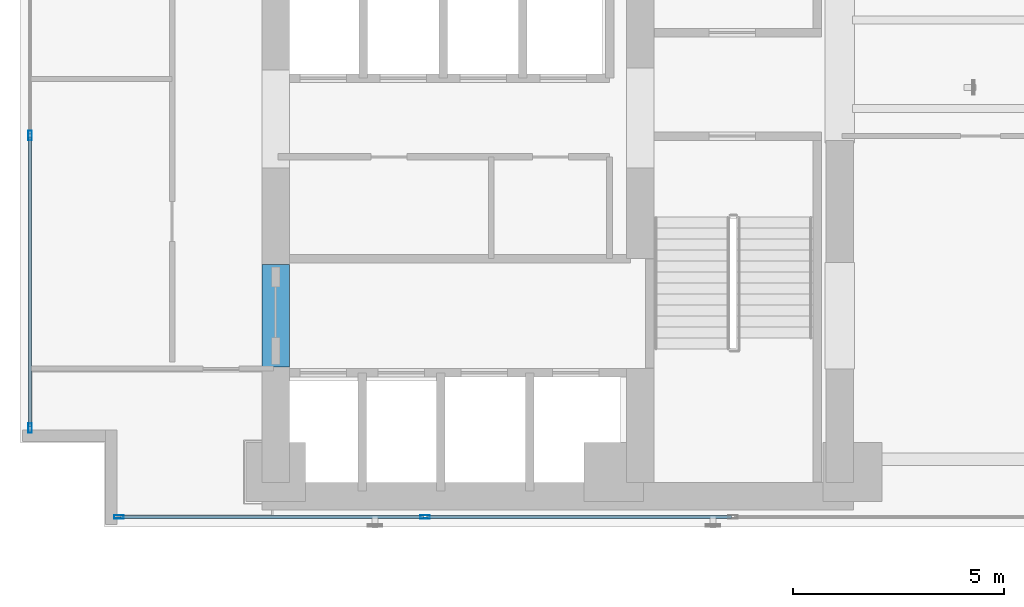
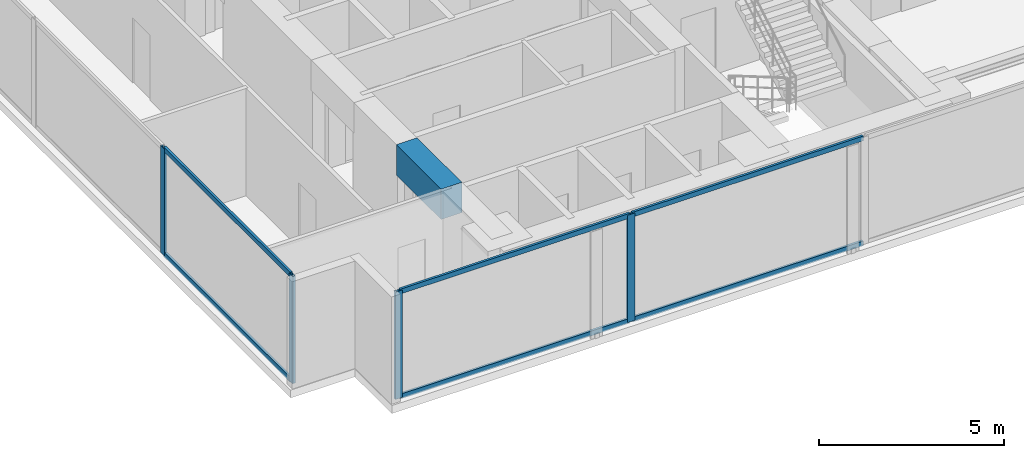
# One storey, part 2 of 29: 10 members, 1 beam, 2 elements without a shape of their own.
"""IFC4 building model written with IfcOpenShell, lengths in metres."""

from ifc_helpers import new_model, si_unit, direction, frame, origin, origin_with_axes, origin_2d, place, context, subcontext, project, spatial, rectangle, hollow_rectangle, extrude, source, transform, mapped, material, layer, layer_set, material_profile, profile_set, type_object, element, aggregate, save


model = new_model("IFC4")

# Units and contexts
model_context = context("Model", 3, precision=1e-05, world=origin(), true_north=direction((0.0, 1.0)))
body_context = subcontext(model_context, "Body", "Model", "MODEL_VIEW")
ifc_project = project(units=[si_unit("LENGTHUNIT", "METRE"), si_unit("AREAUNIT", "SQUARE_METRE"), si_unit("VOLUMEUNIT", "CUBIC_METRE"), si_unit("PLANEANGLEUNIT", "RADIAN"), si_unit("MASSUNIT", "GRAM", prefix="KILO")], contexts=[model_context])

# Site, building, storey
site_placement = place(None, origin())
site = spatial("IfcSite", under=ifc_project, at=site_placement, CompositionType="ELEMENT")
building_placement = place(site_placement, origin())
building = spatial("IfcBuilding", under=site, at=building_placement, Name="Kolvaren Waterfront Exchange", CompositionType="ELEMENT")
storey_placement = place(building_placement, frame((0.0, 0.0, 129.699951171875)))
storey = spatial("IfcBuildingStorey", under=building, at=storey_placement, Name="L33", CompositionType="ELEMENT", Elevation=129.699951171875)

# Beam
ifc_material_1 = material(Name="Concrete C60/75", Category="concrete")
ifc_material_profile_1 = material_profile(ifc_material_1, rectangle(XDim=0.64990234375, YDim=1.0, at=origin_2d()), Name="RC-CB-1000x650")
ifc_profile_set_1 = profile_set([ifc_material_profile_1], Name="Concrete C60/75")
beam_type = type_object("IfcBeamType", Name="STR-CB-1000", PredefinedType="SPANDREL", material=ifc_profile_set_1)
beam_placement = place(storey_placement, frame((7.449951171875, 7.389892578125, 3.0400390625), z_axis=(0.0, 1.0, 0.0), x_axis=(-1.0, 0.0, 0.0)))
element("IfcBeam", 1, at=beam_placement, inside=storey, type_object=beam_type, Name="L33 core coupling beam 3", PredefinedType="SPANDREL", context=body_context, shape_type="SweptSolid", body=[
    extrude(rectangle(XDim=0.64990234375, YDim=1.0, at=origin_2d()), origin(), (0.0, 0.0, 1.0), 2.420166015625),
])

# Curtain wall, members
ifc_material_2 = material(Name="Anodised bronze aluminium 6063-T6", Category="aluminium")
ifc_layer_1 = layer(ifc_material_2, 0.219970703125, Name="Anodised bronze aluminium 6063-T6")
ifc_layer_set_1 = layer_set([ifc_layer_1], Name="Anodised bronze aluminium 6063-T6")
curtain_wall_type_1 = type_object("IfcCurtainWallType", Name="ARC-CW-SYS1", PredefinedType="USERDEFINED", material=ifc_layer_set_1)
curtain_wall_1_placement = place(storey_placement, origin())
curtain_wall_1 = element("IfcCurtainWall", 2, at=curtain_wall_1_placement, inside=storey, type_object=curtain_wall_type_1, Name="L33 stick curtain wall CW1 (CW-L33-S)", ObjectType="STICK CURTAIN WALL", PredefinedType="USERDEFINED")
ifc_material_3 = material(Name="Anodised aluminium 6063-T6", Category="aluminium")
ifc_material_profile_2 = material_profile(ifc_material_3, hollow_rectangle(XDim=0.080078125, YDim=0.219970703125, WallThickness=0.0048828125, at=origin_2d()), Name="ALU-MUL-220x80x5")
ifc_profile_set_2 = profile_set([ifc_material_profile_2], Name="Anodised aluminium 6063-T6")
member_type_1 = type_object("IfcMemberType", Name="ARC-CWM-220", PredefinedType="MULLION", material=ifc_profile_set_2)
shared_shape_1 = source(origin_with_axes(), body_context, "Body", "SweptSolid", [
    extrude(hollow_rectangle(XDim=0.080078125, YDim=0.219970703125, WallThickness=0.0048828125, at=origin_2d()), origin(), (0.0, 0.0, 1.0), 3.5400390625),
])
member_1_placement = place(storey_placement, frame((3.739990234375, 3.840087890625, 0.0), z_axis=(0.0, 0.0, 1.0), x_axis=(0.0, 1.0, 0.0)))
member_1 = element("IfcMember", 3, at=member_1_placement, type_object=member_type_1, Name="CW1 mullion 1", PredefinedType="MULLION", context=body_context, shape_type="MappedRepresentation", body=[
    mapped(shared_shape_1, transform((0.0, 0.0, 0.0), x_axis=(1.0, 0.0, 0.0), y_axis=(0.0, 1.0, 0.0), z_axis=(0.0, 0.0, 1.0), scale=1.0)),
])
member_2_placement = place(storey_placement, frame((10.985595703125, 3.840087890625, 0.0), z_axis=(0.0, 0.0, 1.0), x_axis=(0.0, 1.0, 0.0)))
member_2 = element("IfcMember", 4, at=member_2_placement, type_object=member_type_1, Name="CW1 mullion 2", PredefinedType="MULLION", context=body_context, shape_type="MappedRepresentation", body=[
    mapped(shared_shape_1, transform((0.0, 0.0, 0.0), x_axis=(1.0, 0.0, 0.0), y_axis=(0.0, 1.0, 0.0), z_axis=(0.0, 0.0, 1.0), scale=1.0)),
])

ifc_layer_2 = layer(ifc_material_3, 0.219970703125, Name="Anodised aluminium 6063-T6")
ifc_layer_set_2 = layer_set([ifc_layer_2], Name="Anodised aluminium 6063-T6")
curtain_wall_type_2 = type_object("IfcCurtainWallType", Name="ARC-CW-SYS2", PredefinedType="USERDEFINED", material=ifc_layer_set_2)
curtain_wall_2_placement = place(storey_placement, origin())
curtain_wall_2 = element("IfcCurtainWall", 5, at=curtain_wall_2_placement, inside=storey, type_object=curtain_wall_type_2, Name="L33 stick curtain wall CW2 (CW-L33-W)", ObjectType="STICK CURTAIN WALL", PredefinedType="USERDEFINED")
member_3_placement = place(storey_placement, frame((1.639892578125, 5.93994140625, 0.0), z_axis=(0.0, 0.0, 1.0), x_axis=(-1.0, 0.0, 0.0)))
member_3 = element("IfcMember", 6, at=member_3_placement, type_object=member_type_1, Name="CW2 mullion 1", PredefinedType="MULLION", context=body_context, shape_type="MappedRepresentation", body=[
    mapped(shared_shape_1, transform((0.0, 0.0, 0.0), x_axis=(1.0, 0.0, 0.0), y_axis=(0.0, 1.0, 0.0), z_axis=(0.0, 0.0, 1.0), scale=1.0)),
])
member_4_placement = place(storey_placement, frame((1.639892578125, 12.86669921875, 0.0), z_axis=(0.0, 0.0, 1.0), x_axis=(-1.0, 0.0, 0.0)))
member_4 = element("IfcMember", 7, at=member_4_placement, type_object=member_type_1, Name="CW2 mullion 2", PredefinedType="MULLION", context=body_context, shape_type="MappedRepresentation", body=[
    mapped(shared_shape_1, transform((0.0, 0.0, 0.0), x_axis=(1.0, 0.0, 0.0), y_axis=(0.0, 1.0, 0.0), z_axis=(0.0, 0.0, 1.0), scale=1.0)),
])
ifc_material_profile_3 = material_profile(ifc_material_3, hollow_rectangle(XDim=0.074951171875, YDim=0.159912109375, WallThickness=0.00439453125, at=origin_2d()), Name="ALU-TRN-160x75x4.5")
ifc_profile_set_3 = profile_set([ifc_material_profile_3], Name="Anodised aluminium 6063-T6")
member_type_2 = type_object("IfcMemberType", Name="ARC-CWT-160", PredefinedType="USERDEFINED", material=ifc_profile_set_3)
shared_shape_2 = source(origin_with_axes(), body_context, "Body", "SweptSolid", [
    extrude(hollow_rectangle(XDim=0.074951171875, YDim=0.159912109375, WallThickness=0.00439453125, at=origin_2d()), origin(), (0.0, 0.0, 1.0), 6.8466796875),
])
member_5_placement = place(storey_placement, frame((1.639892578125, 5.97998046875, 0.03759765625), z_axis=(0.0, 1.0, 0.0), x_axis=(-1.0, 0.0, 0.0)))
member_5 = element("IfcMember", 8, at=member_5_placement, type_object=member_type_2, Name="CW2 transom 1.1", ObjectType="TRANSOM", PredefinedType="USERDEFINED", context=body_context, shape_type="MappedRepresentation", body=[
    mapped(shared_shape_2, transform((0.0, 0.0, 0.0), x_axis=(1.0, 0.0, 0.0), y_axis=(0.0, 1.0, 0.0), z_axis=(0.0, 0.0, 1.0), scale=1.0)),
])
member_6_placement = place(storey_placement, frame((1.639892578125, 5.97998046875, 3.50244140625), z_axis=(0.0, 1.0, 0.0), x_axis=(-1.0, 0.0, 0.0)))
member_6 = element("IfcMember", 9, at=member_6_placement, type_object=member_type_2, Name="CW2 transom 1.2", ObjectType="TRANSOM", PredefinedType="USERDEFINED", context=body_context, shape_type="MappedRepresentation", body=[
    mapped(shared_shape_2, transform((0.0, 0.0, 0.0), x_axis=(1.0, 0.0, 0.0), y_axis=(0.0, 1.0, 0.0), z_axis=(0.0, 0.0, 1.0), scale=1.0)),
])
aggregate(curtain_wall_2, [member_3, member_4, member_5, member_6])

# Member
shared_shape_3 = source(origin_with_axes(), body_context, "Body", "SweptSolid", [
    extrude(hollow_rectangle(XDim=0.074951171875, YDim=0.159912109375, WallThickness=0.00439453125, at=origin_2d()), origin(), (0.0, 0.0, 1.0), 7.165771484375),
])
member_7_placement = place(storey_placement, frame((3.780029296875, 3.840087890625, 0.03759765625), z_axis=(1.0, 0.0, 0.0), x_axis=(0.0, 1.0, 0.0)))
member_7 = element("IfcMember", 10, at=member_7_placement, type_object=member_type_2, Name="CW1 transom 1.1", ObjectType="TRANSOM", PredefinedType="USERDEFINED", context=body_context, shape_type="MappedRepresentation", body=[
    mapped(shared_shape_3, transform((0.0, 0.0, 0.0), x_axis=(1.0, 0.0, 0.0), y_axis=(0.0, 1.0, 0.0), z_axis=(0.0, 0.0, 1.0), scale=1.0)),
])

member_8_placement = place(storey_placement, frame((3.780029296875, 3.840087890625, 3.50244140625), z_axis=(1.0, 0.0, 0.0), x_axis=(0.0, 1.0, 0.0)))
member_8 = element("IfcMember", 11, at=member_8_placement, type_object=member_type_2, Name="CW1 transom 1.2", ObjectType="TRANSOM", PredefinedType="USERDEFINED", context=body_context, shape_type="MappedRepresentation", body=[
    mapped(shared_shape_3, transform((0.0, 0.0, 0.0), x_axis=(1.0, 0.0, 0.0), y_axis=(0.0, 1.0, 0.0), z_axis=(0.0, 0.0, 1.0), scale=1.0)),
])

shared_shape_4 = source(origin_with_axes(), body_context, "Body", "SweptSolid", [
    extrude(hollow_rectangle(XDim=0.074951171875, YDim=0.159912109375, WallThickness=0.00439453125, at=origin_2d()), origin(), (0.0, 0.0, 1.0), 7.205810546875),
])
member_9_placement = place(storey_placement, frame((11.025634765625, 3.840087890625, 0.03759765625), z_axis=(1.0, 0.0, 0.0), x_axis=(0.0, 1.0, 0.0)))
member_9 = element("IfcMember", 12, at=member_9_placement, type_object=member_type_2, Name="CW1 transom 2.1", ObjectType="TRANSOM", PredefinedType="USERDEFINED", context=body_context, shape_type="MappedRepresentation", body=[
    mapped(shared_shape_4, transform((0.0, 0.0, 0.0), x_axis=(1.0, 0.0, 0.0), y_axis=(0.0, 1.0, 0.0), z_axis=(0.0, 0.0, 1.0), scale=1.0)),
])

member_10_placement = place(storey_placement, frame((11.025634765625, 3.840087890625, 3.50244140625), z_axis=(1.0, 0.0, 0.0), x_axis=(0.0, 1.0, 0.0)))
member_10 = element("IfcMember", 13, at=member_10_placement, type_object=member_type_2, Name="CW1 transom 2.2", ObjectType="TRANSOM", PredefinedType="USERDEFINED", context=body_context, shape_type="MappedRepresentation", body=[
    mapped(shared_shape_4, transform((0.0, 0.0, 0.0), x_axis=(1.0, 0.0, 0.0), y_axis=(0.0, 1.0, 0.0), z_axis=(0.0, 0.0, 1.0), scale=1.0)),
])

aggregate(curtain_wall_1, [member_1, member_2, member_7, member_8, member_9, member_10])

save(model, "model.ifc")
